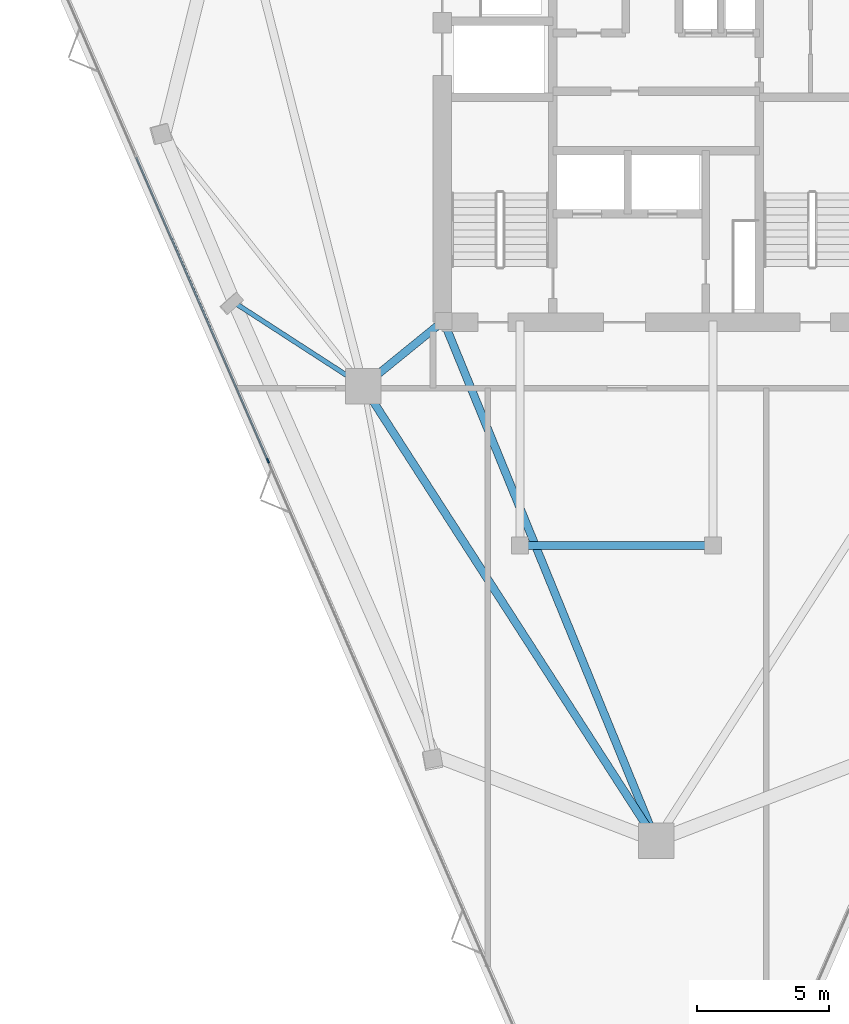
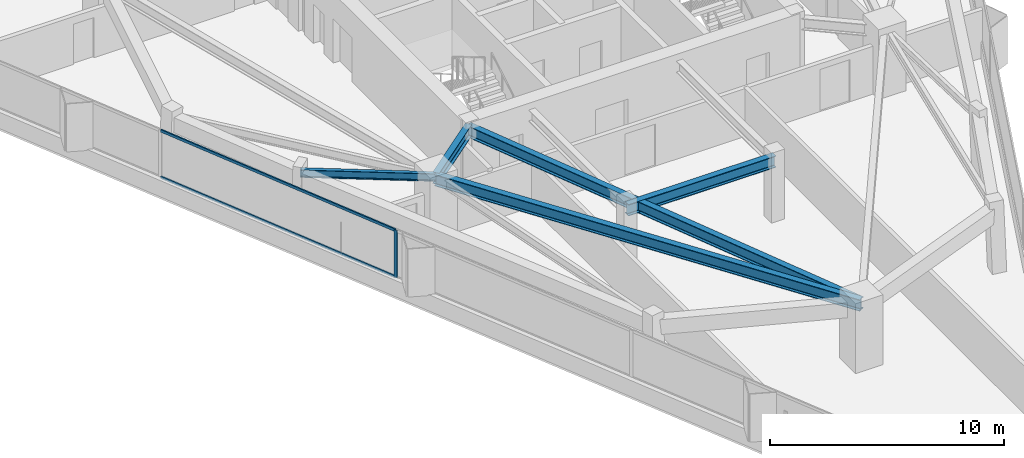
# One storey, part 3 of 12: 5 beams, 3 members, 1 element without a shape of its own.
"""IFC4 building model written with IfcOpenShell, lengths in metres."""

from ifc_helpers import new_model, si_unit, direction, frame, origin, origin_2d, place, context, subcontext, project, spatial, rectangle, i_section, extrude, material, layer, layer_set, material_profile, profile_set, type_object, element, aggregate, save


model = new_model("IFC4")

# Units and contexts
model_context = context("Model", 3, precision=1e-05, world=origin(), true_north=direction((0.0, 1.0)))
body_context = subcontext(model_context, "Body", "Model", "MODEL_VIEW")
ifc_project = project(units=[si_unit("LENGTHUNIT", "METRE"), si_unit("AREAUNIT", "SQUARE_METRE"), si_unit("VOLUMEUNIT", "CUBIC_METRE"), si_unit("PLANEANGLEUNIT", "RADIAN"), si_unit("MASSUNIT", "GRAM", prefix="KILO")], contexts=[model_context])

# Site, building, storey
site_placement = place(None, origin())
site = spatial("IfcSite", under=ifc_project, at=site_placement, CompositionType="ELEMENT")
building_placement = place(site_placement, origin())
building = spatial("IfcBuilding", under=site, at=building_placement, Name="Talyreon Biosciences Tower", CompositionType="ELEMENT")
storey_placement = place(building_placement, frame((0.0, 0.0, 219.550048828125)))
storey = spatial("IfcBuildingStorey", under=building, at=storey_placement, Name="L58", CompositionType="ELEMENT", Elevation=219.550048828125)

# Curtain wall, members
ifc_material_1 = material(Name="Thermally broken aluminium and low-E glazing", Category="aluminium")
ifc_layer = layer(ifc_material_1, 0.179931640625)
ifc_layer_set = layer_set([ifc_layer], Name="Thermally broken aluminium and low-E glazing")
curtain_wall_type = type_object("IfcCurtainWallType", Name="CurtainWall_Zone4Optical", PredefinedType="NOTDEFINED", material=ifc_layer_set)
curtain_wall_placement = place(storey_placement, origin())
curtain_wall = element("IfcCurtainWall", 1, at=curtain_wall_placement, inside=storey, type_object=curtain_wall_type, Name="L58 Unitised Curtain Wall FCW-L58-00", PredefinedType="NOTDEFINED")
ifc_material_2 = material(Name="Anodised thermally broken aluminium", Category="aluminium")
ifc_material_profile_1 = material_profile(ifc_material_2, rectangle(XDim=0.06494140625, YDim=0.179931640625, at=origin_2d()), Name="ALUM MULLION 65x180")
ifc_profile_set_1 = profile_set([ifc_material_profile_1], Name="Anodised thermally broken aluminium")
member_type_1 = type_object("IfcMemberType", Name="CWMullion_65x180", PredefinedType="MULLION", material=ifc_profile_set_1)
member_1_placement = place(storey_placement, frame((51.3037109375, 56.0546875, 0.81005859375), z_axis=(0.0, 0.0, 1.0), x_axis=(-0.917221993355, -0.398376473835, 0.0)))
member_1 = element("IfcMember", 2, at=member_1_placement, type_object=member_type_1, Name="CW5 mullion 3", PredefinedType="MULLION", context=body_context, shape_type="SweptSolid", body=[
    extrude(rectangle(XDim=0.06494140625, YDim=0.179931640625, at=origin_2d()), origin(), (0.0, 0.0, 1.0), 2.489990234375),
])
ifc_material_profile_2 = material_profile(ifc_material_2, rectangle(XDim=0.06494140625, YDim=0.139892578125, at=origin_2d()), Name="ALUM TRANSOM 65x140")
ifc_profile_set_2 = profile_set([ifc_material_profile_2], Name="Anodised thermally broken aluminium")
member_type_2 = type_object("IfcMemberType", Name="CWTransom_65x140", PredefinedType="USERDEFINED", material=ifc_profile_set_2)
member_2_placement = place(storey_placement, frame((51.290771484375, 56.08447265625, 0.842529296875), z_axis=(-0.39837717116, 0.917221690486, 0.0), x_axis=(-0.917221690486, -0.39837717116, 0.0)))
member_2 = element("IfcMember", 3, at=member_2_placement, type_object=member_type_2, Name="CW5 transom 3.1", ObjectType="TRANSOM", PredefinedType="USERDEFINED", context=body_context, shape_type="SweptSolid", body=[
    extrude(rectangle(XDim=0.06494140625, YDim=0.139892578125, at=origin_2d()), origin(), (0.0, 0.0, 1.0), 12.48583984375),
])
member_3_placement = place(storey_placement, frame((51.290771484375, 56.08447265625, 3.267333984375), z_axis=(-0.39837717116, 0.917221690486, 0.0), x_axis=(-0.917221690486, -0.39837717116, 0.0)))
member_3 = element("IfcMember", 4, at=member_3_placement, type_object=member_type_2, Name="CW5 transom 3.2", ObjectType="TRANSOM", PredefinedType="USERDEFINED", context=body_context, shape_type="SweptSolid", body=[
    extrude(rectangle(XDim=0.06494140625, YDim=0.139892578125, at=origin_2d()), origin(), (0.0, 0.0, 1.0), 12.48583984375),
])
aggregate(curtain_wall, [member_1, member_2, member_3])

# Beams
ifc_material_3 = material(Name="Steel SM355", Category="steel")
ifc_material_profile_3 = material_profile(ifc_material_3, i_section(OverallWidth=0.300048828125, OverallDepth=0.60009765625, WebThickness=0.015380859375, FlangeThickness=0.030029296875, FilletRadius=0.027099609375, at=origin_2d()), Name="HE600B")
ifc_profile_set_3 = profile_set([ifc_material_profile_3], Name="Steel SM355")
beam_type_1 = type_object("IfcBeamType", Name="SteelBeam_HE600B", PredefinedType="BEAM", material=ifc_profile_set_3)
beam_1_placement = place(storey_placement, frame((54.913818359375, 58.88037109375, 3.0), z_axis=(0.541463723609, -0.840724114092, 0.0), x_axis=(0.840724114092, 0.541463723609, 0.0)))
element("IfcBeam", 5, at=beam_1_placement, inside=storey, type_object=beam_type_1, Name="L58 Mega-Ring Girder 6", PredefinedType="BEAM", context=body_context, shape_type="SweptSolid", body=[
    extrude(i_section(OverallWidth=0.300048828125, OverallDepth=0.60009765625, WebThickness=0.015380859375, FlangeThickness=0.030029296875, FilletRadius=0.027099609375, at=origin_2d()), origin(), (0.0, 0.0, 1.0), 20.474365234375),
])
beam_2_placement = place(storey_placement, frame((57.949951171875, 61.35009765625, 3.0), z_axis=(0.378547014545, -0.925582064314, 0.0), x_axis=(0.925582064314, 0.378547014545, 0.0)))
element("IfcBeam", 6, at=beam_2_placement, inside=storey, type_object=beam_type_1, Name="L58 Radial Primary Girder 1", PredefinedType="BEAM", context=body_context, shape_type="SweptSolid", body=[
    extrude(i_section(OverallWidth=0.300048828125, OverallDepth=0.60009765625, WebThickness=0.015380859375, FlangeThickness=0.030029296875, FilletRadius=0.027099609375, at=origin_2d()), origin(), (0.0, 0.0, 1.0), 21.265625),
])
beam_3_placement = place(storey_placement, frame((57.949951171875, 61.35009765625, 3.0), z_axis=(-0.775755154013, -0.631034025249, 0.0), x_axis=(0.631034025249, -0.775755154013, 0.0)))
element("IfcBeam", 7, at=beam_3_placement, inside=storey, type_object=beam_type_1, Name="L58 Radial Primary Girder 6", PredefinedType="BEAM", context=body_context, shape_type="SweptSolid", body=[
    extrude(i_section(OverallWidth=0.300048828125, OverallDepth=0.60009765625, WebThickness=0.015380859375, FlangeThickness=0.030029296875, FilletRadius=0.027099609375, at=origin_2d()), origin(), (0.0, 0.0, 1.0), 3.913818359375),
])
beam_4_placement = place(storey_placement, frame((60.85009765625, 52.840087890625, 3.0), z_axis=(1.0, 0.0, 0.0), x_axis=(0.0, 1.0, 0.0)))
element("IfcBeam", 8, at=beam_4_placement, inside=storey, type_object=beam_type_1, Name="L58 Crown Shaft Spine Girder S", PredefinedType="BEAM", context=body_context, shape_type="SweptSolid", body=[
    extrude(i_section(OverallWidth=0.300048828125, OverallDepth=0.60009765625, WebThickness=0.015380859375, FlangeThickness=0.030029296875, FilletRadius=0.027099609375, at=origin_2d()), origin(), (0.0, 0.0, 1.0), 7.2998046875),
])
ifc_material_profile_4 = material_profile(ifc_material_3, i_section(OverallWidth=0.179931640625, OverallDepth=0.39990234375, WebThickness=0.008544921875, FlangeThickness=0.013427734375, FilletRadius=0.02099609375, at=origin_2d()), Name="IPE400")
ifc_profile_set_4 = profile_set([ifc_material_profile_4], Name="Steel SM355")
beam_type_2 = type_object("IfcBeamType", Name="SteelJoist_IPE400", PredefinedType="JOIST", material=ifc_profile_set_4)
beam_5_placement = place(storey_placement, frame((54.913818359375, 58.88037109375, 3.099853515625), z_axis=(-0.839477880901, 0.543393860361, 0.0), x_axis=(-0.543393860361, -0.839477880901, 0.0)))
element("IfcBeam", 9, at=beam_5_placement, inside=storey, type_object=beam_type_2, Name="L58 Radial Composite Floor Joist PL-SW", PredefinedType="JOIST", context=body_context, shape_type="SweptSolid", body=[
    extrude(i_section(OverallWidth=0.179931640625, OverallDepth=0.39990234375, WebThickness=0.008544921875, FlangeThickness=0.013427734375, FilletRadius=0.02099609375, at=origin_2d()), origin(), (0.0, 0.0, 1.0), 5.821533203125),
])

save(model, "model.ifc")
